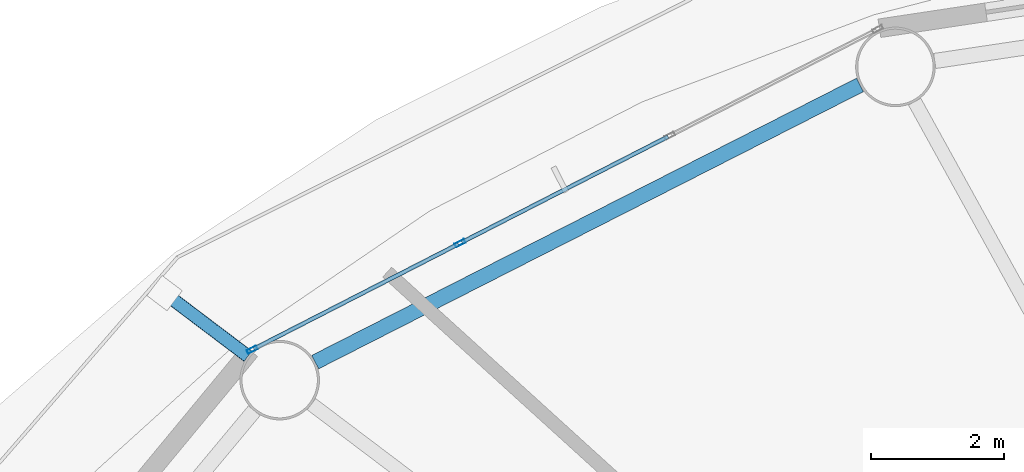
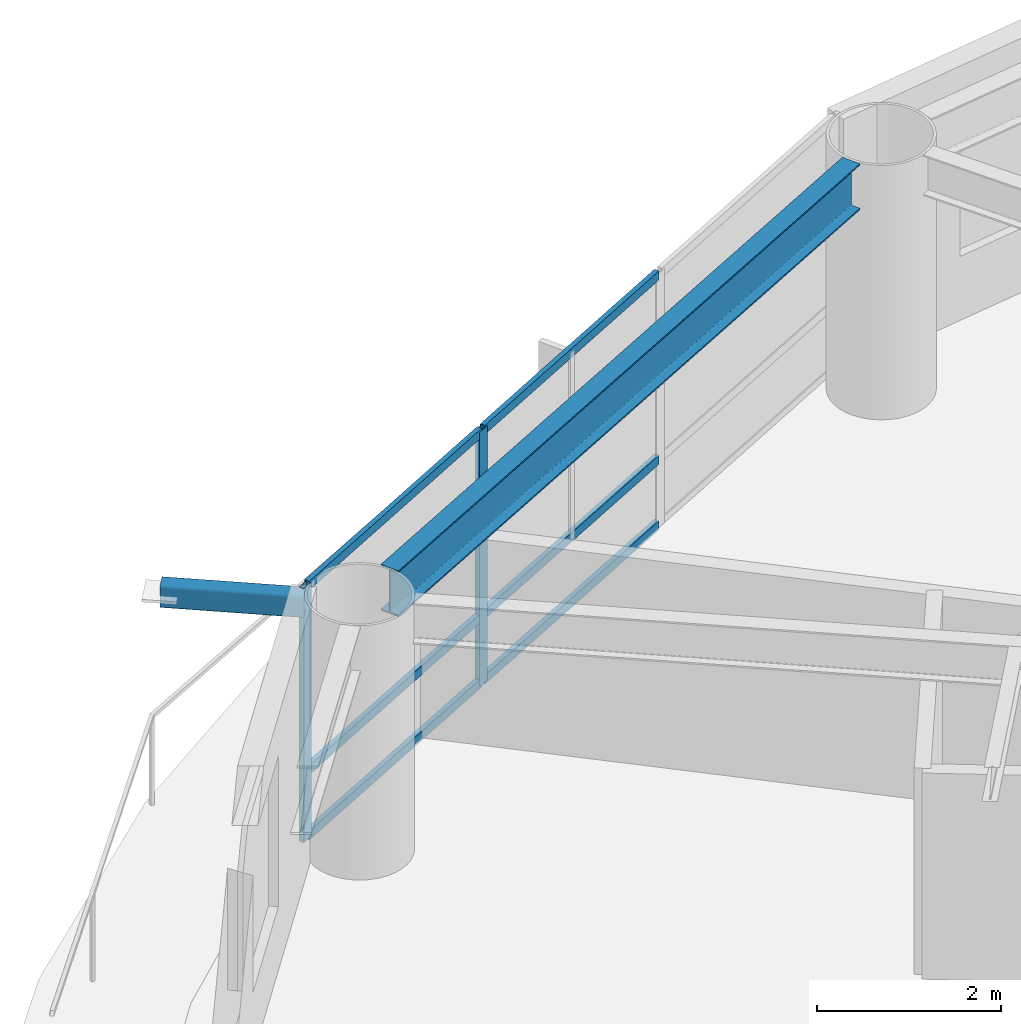
# One storey, part 8 of 24: 9 members, 1 beam, 1 element without a shape of its own.
"""IFC4 building model written with IfcOpenShell, lengths in metres."""

import ifcopenshell
import ifcopenshell.guid

model = None  # the IFC model being written
_history = None  # IfcOwnerHistory: only IFC2X3 demands one
_inside = {}  # id of a spatial element -> (the spatial element, [elements in it])
_under = {}  # id of a project, library or spatial element -> (it, [spatial elements below it])
_declared = {}  # id of a project -> (the project, [libraries it declares])
_typed = {}  # id of a type object -> (the type object, [elements of that type])
_made_of = {}  # id of a material, layer set ... -> (it, [elements and type objects made of it])


def new_model(schema):
    """Start an empty IFC model of exactly this schema.

    Asked for "IFC4X3", IfcOpenShell would pick the latest addendum, in which some entities
    have other attributes; the version numbers below select the first issue.
    IFC2X3 requires an IfcOwnerHistory on every rooted entity: one is made here for all.
    """
    global model, _history
    if schema == "IFC4X3":
        model = ifcopenshell.file(schema_version=(4, 3, 0, 0))
    else:
        model = ifcopenshell.file(schema=schema)
    _inside.clear()
    _under.clear()
    _declared.clear()
    _typed.clear()
    _made_of.clear()
    _history = None
    if model.schema == "IFC2X3":
        org = make("IfcOrganization", Name="unknown")
        user = make(
            "IfcPersonAndOrganization",
            ThePerson=make("IfcPerson", FamilyName="unknown"),
            TheOrganization=org,
        )
        app = make(
            "IfcApplication",
            ApplicationDeveloper=org,
            Version="unknown",
            ApplicationFullName="unknown",
            ApplicationIdentifier="unknown",
        )
        _history = make(
            "IfcOwnerHistory",
            OwningUser=user,
            OwningApplication=app,
            ChangeAction="ADDED",
            CreationDate=0,
        )
    return model


def make(cls, **values):
    """One entity of the class cls with the attributes given. An attribute that is None is left unset."""
    return model.create_entity(
        cls, **{name: value for name, value in values.items() if value is not None}
    )


def rooted(cls, **values):
    """An entity with a GlobalId (a new one), such as an element, a storey or a relation."""
    return make(cls, GlobalId=ifcopenshell.guid.new(), OwnerHistory=_history, **values)


def si_unit(unit_type, name, prefix=None):
    """IfcSIUnit, for example si_unit("LENGTHUNIT", "METRE", prefix="MILLI")."""
    return make("IfcSIUnit", UnitType=unit_type, Prefix=prefix, Name=name)


def assignment(units):
    """IfcUnitAssignment: the units of a project."""
    return None if units is None else make("IfcUnitAssignment", Units=units)


def point(xyz):
    """IfcCartesianPoint."""
    return None if xyz is None else make("IfcCartesianPoint", Coordinates=xyz)


def direction(xyz):
    """IfcDirection."""
    return None if xyz is None else make("IfcDirection", DirectionRatios=xyz)


def frame(location, z_axis=None, x_axis=None):
    """IfcAxis2Placement3D, a coordinate frame: its origin and axes. An axis left out is left unset."""
    return make(
        "IfcAxis2Placement3D",
        Location=point(location),
        Axis=direction(z_axis),
        RefDirection=direction(x_axis),
    )


def frame_2d(location, x_axis=None):
    """IfcAxis2Placement2D, a coordinate frame in the plane: its origin and x axis."""
    return make(
        "IfcAxis2Placement2D", Location=point(location), RefDirection=direction(x_axis)
    )


def origin():
    """The frame at (0, 0, 0) with its axes left unset."""
    return frame((0.0, 0.0, 0.0))


def origin_2d():
    """The frame at (0, 0) in the plane with its x axis left unset."""
    return frame_2d((0.0, 0.0))


def place(relative_to, where):
    """IfcLocalPlacement: puts the frame where relative to a parent placement (None: the world)."""
    return make(
        "IfcLocalPlacement", PlacementRelTo=relative_to, RelativePlacement=where
    )


def context(
    kind, dimensions, precision=None, world=None, true_north=None, identifier=None
):
    """IfcGeometricRepresentationContext, for example the 3D "Model" context."""
    return make(
        "IfcGeometricRepresentationContext",
        ContextIdentifier=identifier,
        ContextType=kind,
        CoordinateSpaceDimension=dimensions,
        Precision=precision,
        WorldCoordinateSystem=world,
        TrueNorth=true_north,
    )


def subcontext(parent, identifier, kind, view, scale=None):
    """IfcGeometricRepresentationSubContext, for example "Body" below "Model"."""
    return make(
        "IfcGeometricRepresentationSubContext",
        ContextIdentifier=identifier,
        ContextType=kind,
        ParentContext=parent,
        TargetScale=scale,
        TargetView=view,
    )


def project(units=None, contexts=None):
    """IfcProject with its units and contexts."""
    return rooted(
        "IfcProject",
        Name="project",
        RepresentationContexts=contexts,
        UnitsInContext=assignment(units),
    )


def spatial(cls, under=None, at=None, **own):
    """A site, building, storey or space (cls), placed at a placement, below another one or the project."""
    s = rooted(cls, ObjectPlacement=at, **own)
    if under is not None:
        _under.setdefault(under.id(), (under, []))[1].append(s)
    return s


def profile(cls, at=None, kind="AREA", **sizes):
    """A parametric profile (cls). Its sizes go by their IFC names, for example OverallWidth=200.0."""
    return make(cls, ProfileType=kind, Position=at, **sizes)


def hollow_rectangle(**sizes):
    """IfcRectangleHollowProfileDef."""
    return profile("IfcRectangleHollowProfileDef", **sizes)


def i_section(**sizes):
    """IfcIShapeProfileDef."""
    return profile("IfcIShapeProfileDef", **sizes)


def extrude(swept, where, along, depth):
    """IfcExtrudedAreaSolid: the profile swept, set in the frame where, extruded along a direction by depth."""
    return make(
        "IfcExtrudedAreaSolid",
        SweptArea=swept,
        Position=where,
        ExtrudedDirection=direction(along),
        Depth=depth,
    )


def shape(context_of_items, identifier, shape_type, items):
    """IfcShapeRepresentation: the items that make up one representation, for example the "Body"."""
    return make(
        "IfcShapeRepresentation",
        ContextOfItems=context_of_items,
        RepresentationIdentifier=identifier,
        RepresentationType=shape_type,
        Items=items,
    )


def material(Name=None, Category=None):
    """IfcMaterial."""
    return make("IfcMaterial", Name=Name, Category=Category)


def layer(
    of_material, thickness, ventilated=None, Name=None, Category=None, Priority=None
):
    """IfcMaterialLayer: one layer of a wall or slab, of a material (None: an air gap)."""
    return make(
        "IfcMaterialLayer",
        Material=of_material,
        LayerThickness=thickness,
        IsVentilated=ventilated,
        Name=Name,
        Category=Category,
        Priority=Priority,
    )


def layer_set(layers, Name=None):
    """IfcMaterialLayerSet."""
    return make("IfcMaterialLayerSet", MaterialLayers=layers, LayerSetName=Name)


def material_profile(
    of_material, cross_section, Name=None, Category=None, Priority=None
):
    """IfcMaterialProfile: a cross section and its material."""
    return make(
        "IfcMaterialProfile",
        Name=Name,
        Material=of_material,
        Profile=cross_section,
        Priority=Priority,
        Category=Category,
    )


def profile_set(profiles, Name=None, composite=None):
    """IfcMaterialProfileSet."""
    return make(
        "IfcMaterialProfileSet",
        Name=Name,
        MaterialProfiles=profiles,
        CompositeProfile=composite,
    )


def made_of(thing, what):
    """Note that an element or type object is made of a material, layer set ...; save() writes the relation."""
    if what is not None:
        _made_of.setdefault(what.id(), (what, []))[1].append(thing)
    return thing


def type_object(cls, material=None, **own):
    """A type object (cls), such as IfcWallType, which elements share."""
    return made_of(rooted(cls, **own), material)


def element(
    cls,
    number,
    at=None,
    inside=None,
    cuts=None,
    type_object=None,
    material=None,
    context=None,
    identifier="Body",
    shape_type=None,
    held_by="IfcProductDefinitionShape",
    body=None,
    shapes=None,
    **own,
):
    """One element of the class cls, such as IfcWall. Its Tag is "e" and its number.

    at: its placement. inside: the storey or other place that contains it. cuts: it is an
    opening in that element (IfcRelVoidsElement). A single representation is given by context,
    identifier, shape_type and body (its items); several are given by shapes. held_by: the class
    of the entity that holds the representations. save() writes the other relations.
    """
    e = rooted(cls, Tag="e%d" % number, ObjectPlacement=at, **own)
    if body is not None:
        shapes = [shape(context, identifier, shape_type, body)]
    if shapes is not None:
        e.Representation = make(held_by, Representations=shapes)
    if inside is not None:
        _inside.setdefault(inside.id(), (inside, []))[1].append(e)
    if cuts is not None:
        rooted(
            "IfcRelVoidsElement", RelatingBuildingElement=cuts, RelatedOpeningElement=e
        )
    if type_object is not None:
        _typed.setdefault(type_object.id(), (type_object, []))[1].append(e)
    return made_of(e, material)


def aggregate(whole, parts):
    """IfcRelAggregates: a whole, such as a stair, and the parts it consists of."""
    return rooted("IfcRelAggregates", RelatingObject=whole, RelatedObjects=parts)


def save(model, path):
    """Write the relations noted so far, then the file.

    IfcRelAggregates (storeys below a building ...), IfcRelContainedInSpatialStructure (elements
    in a storey), IfcRelDefinesByType, IfcRelAssociatesMaterial and IfcRelDeclares: one each for
    every whole, place, type object, material and project.
    """
    for whole, parts in _under.values():
        aggregate(whole, parts)
    for where, things in _inside.values():
        rooted(
            "IfcRelContainedInSpatialStructure",
            RelatedElements=things,
            RelatingStructure=where,
        )
    for kind, things in _typed.values():
        rooted("IfcRelDefinesByType", RelatedObjects=things, RelatingType=kind)
    for what, things in _made_of.values():
        rooted("IfcRelAssociatesMaterial", RelatedObjects=things, RelatingMaterial=what)
    for by, libraries in _declared.values():
        rooted("IfcRelDeclares", RelatingContext=by, RelatedDefinitions=libraries)
    model.write(path)


model = new_model("IFC4")

# Units and contexts
model_context = context("Model", 3, precision=1e-05, world=origin(), true_north=direction((0.0, 1.0)))
body_context = subcontext(model_context, "Body", "Model", "MODEL_VIEW")
ifc_project = project(units=[si_unit("LENGTHUNIT", "METRE"), si_unit("AREAUNIT", "SQUARE_METRE"), si_unit("VOLUMEUNIT", "CUBIC_METRE"), si_unit("PLANEANGLEUNIT", "RADIAN"), si_unit("MASSUNIT", "GRAM", prefix="KILO")], contexts=[model_context])

# Site, building, storey
site_placement = place(None, origin())
site = spatial("IfcSite", under=ifc_project, at=site_placement, CompositionType="ELEMENT")
building_placement = place(site_placement, origin())
building = spatial("IfcBuilding", under=site, at=building_placement, Name="Sarneth Arch Tower", CompositionType="ELEMENT")
storey_placement = place(building_placement, frame((0.0, 0.0, 109.199951171875)))
storey = spatial("IfcBuildingStorey", under=building, at=storey_placement, Name="L27", CompositionType="ELEMENT", Elevation=109.199951171875)

# Beam
ifc_material_1 = material(Name="Steel S355", Category="steel")
ifc_material_profile_1 = material_profile(ifc_material_1, i_section(OverallWidth=0.22900390625, OverallDepth=0.612060546875, WebThickness=0.011962890625, FlangeThickness=0.01953125, FilletRadius=0.01904296875, at=origin_2d()), Name="W610x125")
ifc_profile_set_1 = profile_set([ifc_material_profile_1], Name="Steel S355")
beam_type = type_object("IfcBeamType", Name="BM-SPAN-610C", PredefinedType="SPANDREL", material=ifc_profile_set_1)
beam_placement = place(storey_placement, frame((36.35498046875, 61.868408203125, 3.073974609375), z_axis=(-0.891259443414, -0.453493775619, 0.0), x_axis=(0.453493775619, -0.891259443414, 0.0)))
element("IfcBeam", 1, at=beam_placement, inside=storey, type_object=beam_type, Name="L27 Perimeter spandrel beam 06", PredefinedType="SPANDREL", context=body_context, shape_type="SweptSolid", body=[
    extrude(i_section(OverallWidth=0.22900390625, OverallDepth=0.612060546875, WebThickness=0.011962890625, FlangeThickness=0.01953125, FilletRadius=0.01904296875, at=origin_2d()), origin(), (0.0, 0.0, 1.0), 9.220458984375),
])

# Curtain wall, members
ifc_material_2 = material(Name="Anodised aluminium Type AA25 and solar-control low-e laminated IGU", Category="aluminium")
ifc_layer = layer(ifc_material_2, 0.159912109375)
ifc_layer_set = layer_set([ifc_layer], Name="Anodised aluminium Type AA25 and solar-control low-e laminated IGU")
curtain_wall_type = type_object("IfcCurtainWallType", Name="CW-HOTEL-MID", PredefinedType="NOTDEFINED", material=ifc_layer_set)
curtain_wall_placement = place(storey_placement, origin())
curtain_wall = element("IfcCurtainWall", 2, at=curtain_wall_placement, inside=storey, type_object=curtain_wall_type, Name="L27 Unitised curtain wall facet 06", PredefinedType="NOTDEFINED")
ifc_material_3 = material(Name="Anodised Aluminium 6063-T6", Category="aluminium")
ifc_material_profile_2 = material_profile(ifc_material_3, hollow_rectangle(XDim=0.06005859375, YDim=0.159912109375, WallThickness=0.00390625, at=origin_2d()), Name="AL-MULL-160x60x4")
ifc_profile_set_2 = profile_set([ifc_material_profile_2], Name="Anodised Aluminium 6063-T6")
member_type_1 = type_object("IfcMemberType", Name="CW-MULLION", PredefinedType="MULLION", material=ifc_profile_set_2)
member_1_placement = place(storey_placement, frame((30.322998046875, 59.481201171875, 0.0), z_axis=(0.0, 0.0, 1.0), x_axis=(0.456031365356, -0.889963703649, 0.0)))
member_1 = element("IfcMember", 3, at=member_1_placement, type_object=member_type_1, Name="CW-SYS-4 mullion 3", PredefinedType="MULLION", context=body_context, shape_type="SweptSolid", body=[
    extrude(hollow_rectangle(XDim=0.06005859375, YDim=0.159912109375, WallThickness=0.00390625, at=origin_2d()), origin(), (0.0, 0.0, 1.0), 3.380126953125),
])
member_2_placement = place(storey_placement, frame((27.186767578125, 57.8740234375, 0.0), z_axis=(0.0, 0.0, 1.0), x_axis=(0.456031365356, -0.889963703649, 0.0)))
member_2 = element("IfcMember", 4, at=member_2_placement, type_object=member_type_1, Name="CW-SYS-4 mullion 4", PredefinedType="MULLION", context=body_context, shape_type="SweptSolid", body=[
    extrude(hollow_rectangle(XDim=0.06005859375, YDim=0.159912109375, WallThickness=0.00390625, at=origin_2d()), origin(), (0.0, 0.0, 1.0), 3.380126953125),
])
ifc_material_4 = material(Name="Anodised Aluminium 6063-T6", Category="aluminium")
ifc_material_profile_3 = material_profile(ifc_material_4, hollow_rectangle(XDim=0.06005859375, YDim=0.1201171875, WallThickness=0.00390625, at=origin_2d()), Name="AL-TRAN-120x60x4")
ifc_profile_set_3 = profile_set([ifc_material_profile_3], Name="Anodised Aluminium 6063-T6")
member_type_2 = type_object("IfcMemberType", Name="CW-TRANSOM", PredefinedType="USERDEFINED", material=ifc_profile_set_3)
member_3_placement = place(storey_placement, frame((33.459228515625, 61.088134765625, 0.030029296875), z_axis=(-0.889981813856, -0.455996020823, 0.0), x_axis=(0.455996020823, -0.889981813856, 0.0)))
member_3 = element("IfcMember", 5, at=member_3_placement, type_object=member_type_2, Name="CW-SYS-4 transom 2.1", ObjectType="TRANSOM", PredefinedType="USERDEFINED", context=body_context, shape_type="SweptSolid", body=[
    extrude(hollow_rectangle(XDim=0.06005859375, YDim=0.1201171875, WallThickness=0.00390625, at=origin_2d()), origin(), (0.0, 0.0, 1.0), 3.494140625),
])
member_4_placement = place(storey_placement, frame((33.459228515625, 61.088134765625, 0.900146484375), z_axis=(-0.889981813856, -0.455996020823, 0.0), x_axis=(0.455996020823, -0.889981813856, 0.0)))
member_4 = element("IfcMember", 6, at=member_4_placement, type_object=member_type_2, Name="CW-SYS-4 transom 2.2", ObjectType="TRANSOM", PredefinedType="USERDEFINED", context=body_context, shape_type="SweptSolid", body=[
    extrude(hollow_rectangle(XDim=0.06005859375, YDim=0.1201171875, WallThickness=0.00390625, at=origin_2d()), origin(), (0.0, 0.0, 1.0), 3.494140625),
])
member_5_placement = place(storey_placement, frame((33.459228515625, 61.088134765625, 3.35009765625), z_axis=(-0.889981813856, -0.455996020823, 0.0), x_axis=(0.455996020823, -0.889981813856, 0.0)))
member_5 = element("IfcMember", 7, at=member_5_placement, type_object=member_type_2, Name="CW-SYS-4 transom 2.3", ObjectType="TRANSOM", PredefinedType="USERDEFINED", context=body_context, shape_type="SweptSolid", body=[
    extrude(hollow_rectangle(XDim=0.06005859375, YDim=0.1201171875, WallThickness=0.00390625, at=origin_2d()), origin(), (0.0, 0.0, 1.0), 3.494140625),
])
member_6_placement = place(storey_placement, frame((30.296142578125, 59.467529296875, 0.030029296875), z_axis=(-0.889942905184, -0.456071952122, 0.0), x_axis=(0.456071952122, -0.889942905184, 0.0)))
member_6 = element("IfcMember", 8, at=member_6_placement, type_object=member_type_2, Name="CW-SYS-4 transom 3.1", ObjectType="TRANSOM", PredefinedType="USERDEFINED", context=body_context, shape_type="SweptSolid", body=[
    extrude(hollow_rectangle(XDim=0.06005859375, YDim=0.1201171875, WallThickness=0.00390625, at=origin_2d()), origin(), (0.0, 0.0, 1.0), 3.464111328125),
])
member_7_placement = place(storey_placement, frame((30.296142578125, 59.467529296875, 0.900146484375), z_axis=(-0.889942905184, -0.456071952122, 0.0), x_axis=(0.456071952122, -0.889942905184, 0.0)))
member_7 = element("IfcMember", 9, at=member_7_placement, type_object=member_type_2, Name="CW-SYS-4 transom 3.2", ObjectType="TRANSOM", PredefinedType="USERDEFINED", context=body_context, shape_type="SweptSolid", body=[
    extrude(hollow_rectangle(XDim=0.06005859375, YDim=0.1201171875, WallThickness=0.00390625, at=origin_2d()), origin(), (0.0, 0.0, 1.0), 3.464111328125),
])
member_8_placement = place(storey_placement, frame((30.296142578125, 59.467529296875, 3.35009765625), z_axis=(-0.889942905184, -0.456071952122, 0.0), x_axis=(0.456071952122, -0.889942905184, 0.0)))
member_8 = element("IfcMember", 10, at=member_8_placement, type_object=member_type_2, Name="CW-SYS-4 transom 3.3", ObjectType="TRANSOM", PredefinedType="USERDEFINED", context=body_context, shape_type="SweptSolid", body=[
    extrude(hollow_rectangle(XDim=0.06005859375, YDim=0.1201171875, WallThickness=0.00390625, at=origin_2d()), origin(), (0.0, 0.0, 1.0), 3.464111328125),
])
aggregate(curtain_wall, [member_1, member_2, member_3, member_4, member_5, member_6, member_7, member_8])

# Member
ifc_material_5 = material(Name="Steel S355", Category="steel")
ifc_material_profile_4 = material_profile(ifc_material_5, hollow_rectangle(XDim=0.199951171875, YDim=0.300048828125, WallThickness=0.012451171875, InnerFilletRadius=0.018798828125, OuterFilletRadius=0.03125, at=origin_2d()), Name="RHS300x200x12.5")
ifc_profile_set_4 = profile_set([ifc_material_profile_4], Name="Steel S355")
member_type_3 = type_object("IfcMemberType", Name="MEM-CANT-STRUT", PredefinedType="STRUT", material=ifc_profile_set_4)
member_9_placement = place(storey_placement, frame((27.123779296875, 57.776611328125, 3.219970703125), z_axis=(-0.797802793909, 0.602918487054, 0.0), x_axis=(-0.602918487054, -0.797802793909, 0.0)))
element("IfcMember", 11, at=member_9_placement, inside=storey, type_object=member_type_3, Name="L27 Balcony cantilever bracket 07", PredefinedType="STRUT", context=body_context, shape_type="SweptSolid", body=[
    extrude(hollow_rectangle(XDim=0.199951171875, YDim=0.300048828125, WallThickness=0.012451171875, InnerFilletRadius=0.018798828125, OuterFilletRadius=0.03125, at=origin_2d()), origin(), (0.0, 0.0, 1.0), 1.5771484375),
])

save(model, "model.ifc")
